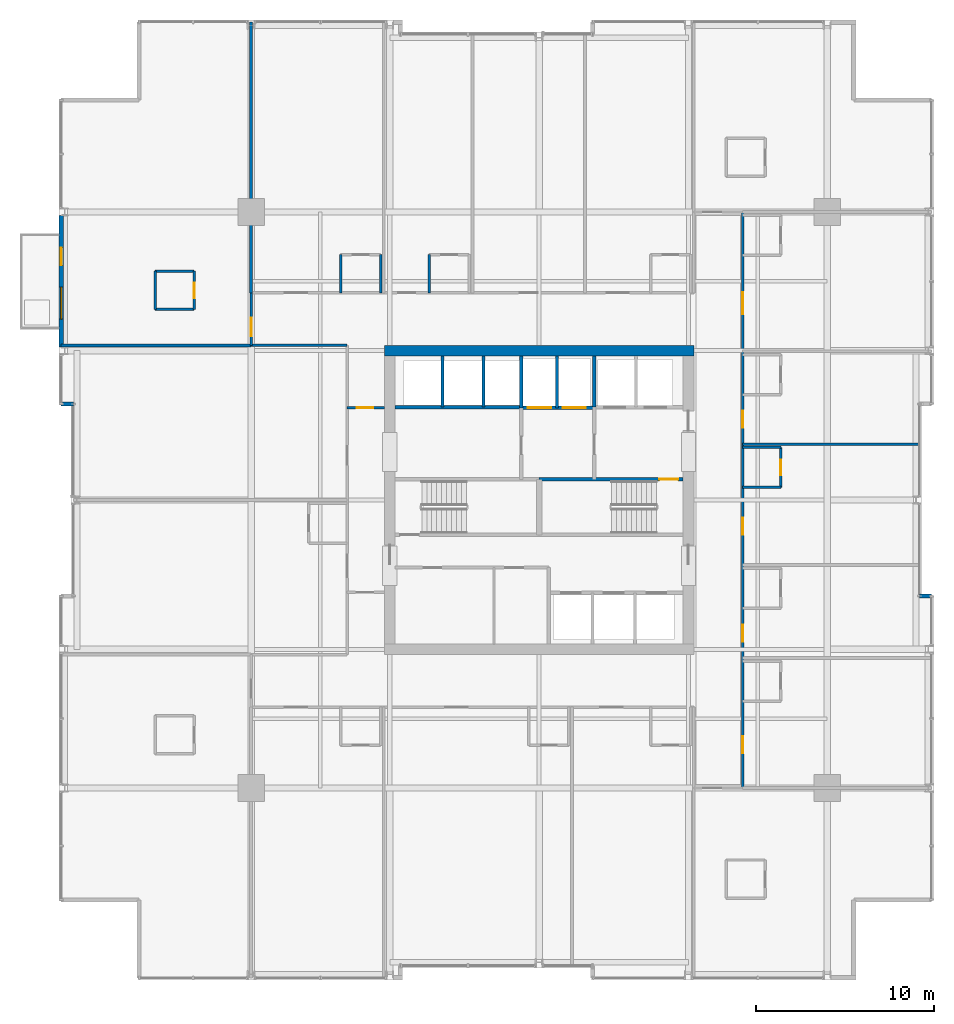
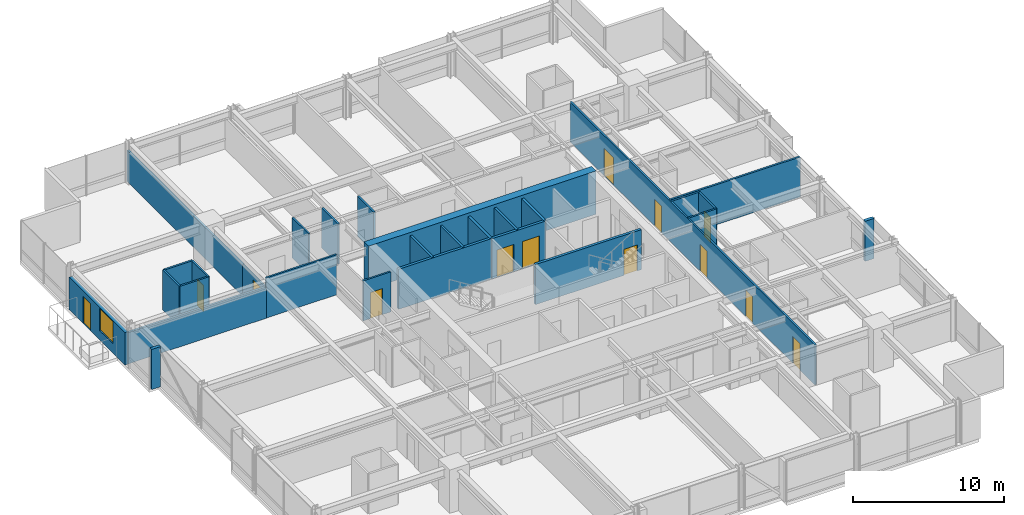
# One storey, part 30 of 35: 29 walls, 13 doors, 1 window, 14 openings.
"""IFC4 building model written with IfcOpenShell, lengths in metres."""

from ifc_helpers import new_model, si_unit, direction, frame, frame_2d, origin, place, context, subcontext, project, spatial, rectangle, extrude, material, layer, layer_set, type_object, element, fill, save


model = new_model("IFC4")

# Units and contexts
model_context = context("Model", 3, precision=1e-05, world=origin(), true_north=direction((0.0, 1.0)))
body_context = subcontext(model_context, "Body", "Model", "MODEL_VIEW")
ifc_project = project(units=[si_unit("LENGTHUNIT", "METRE"), si_unit("AREAUNIT", "SQUARE_METRE"), si_unit("VOLUMEUNIT", "CUBIC_METRE"), si_unit("PLANEANGLEUNIT", "RADIAN"), si_unit("MASSUNIT", "GRAM", prefix="KILO")], contexts=[model_context])

# Site, building, storey
site_placement = place(None, origin())
site = spatial("IfcSite", under=ifc_project, at=site_placement, CompositionType="ELEMENT")
building_placement = place(site_placement, origin())
building = spatial("IfcBuilding", under=site, at=building_placement, Name="Drelvath Grand Hotel", CompositionType="ELEMENT")
storey_placement = place(building_placement, frame((0.0, 0.0, 130.300048828125)))
storey = spatial("IfcBuildingStorey", under=building, at=storey_placement, Name="L33", CompositionType="ELEMENT", Elevation=130.300048828125)

# Wall
ifc_material_1 = material(Name="Concrete C40/50", Category="concrete")
ifc_layer_1 = layer(ifc_material_1, 0.199951171875)
ifc_layer_set_1 = layer_set([ifc_layer_1], Name="Concrete C40/50")
wall_type_1 = type_object("IfcWallType", Name="Core Hoistway Fire Wall 200", PredefinedType="SOLIDWALL", material=ifc_layer_set_1)
wall_1_placement = place(storey_placement, frame((3.10009765625, 32.219970703125, 0.0), z_axis=(0.0, 0.0, 1.0), x_axis=(0.0, 1.0, 0.0)))
element("IfcWall", 1, at=wall_1_placement, inside=storey, type_object=wall_type_1, Name="L33 FSAE Hoistway West Wall", PredefinedType="SOLIDWALL", context=body_context, shape_type="SweptSolid", body=[
    extrude(rectangle(XDim=2.880126953125, YDim=0.199951171875, at=frame_2d((1.43994140625, 0.0))), origin(), (0.0, 0.0, 1.0), 3.239990234375),
])

# Wall, openings, doors
wall_2_placement = place(storey_placement, frame((-1.0, 32.179931640625, 0.0), z_axis=(0.0, 0.0, 1.0), x_axis=(1.0, 0.0, 0.0)))
wall_2 = element("IfcWall", 2, at=wall_2_placement, inside=storey, type_object=wall_type_1, Name="L33 Service Lift Hoistway Wall", PredefinedType="SOLIDWALL", context=body_context, shape_type="SweptSolid", body=[
    extrude(rectangle(XDim=4.10009765625, YDim=0.199951171875, at=frame_2d((2.050048828125, 0.0))), origin(), (0.0, 0.0, 1.0), 3.239990234375),
])
opening_1_placement = place(wall_2_placement, frame((0.3701171875, 0.0, 0.0)))
opening_1 = element("IfcOpeningElement", 3, at=opening_1_placement, cuts=wall_2, Name="Opening LD-SV-2", PredefinedType="OPENING", context=body_context, shape_type="SweptSolid", body=[
    extrude(rectangle(XDim=1.300048828125, YDim=2.199951171875, at=frame_2d((0.64990234375, 1.10009765625))), frame((0.0, 0.10986328125, 0.0), z_axis=(0.0, -1.0, 0.0), x_axis=(1.0, 0.0, 0.0)), (0.0, 0.0, 1.0), 0.219970703125),
])
opening_2_placement = place(wall_2_placement, frame((2.330078125, 0.0, 0.0)))
opening_2 = element("IfcOpeningElement", 4, at=opening_2_placement, cuts=wall_2, Name="Opening LD-SV-1", PredefinedType="OPENING", context=body_context, shape_type="SweptSolid", body=[
    extrude(rectangle(XDim=1.300048828125, YDim=2.199951171875, at=frame_2d((0.64990234375, 1.10009765625))), frame((0.0, 0.10986328125, 0.0), z_axis=(0.0, -1.0, 0.0), x_axis=(1.0, 0.0, 0.0)), (0.0, 0.0, 1.0), 0.219970703125),
])
ifc_material_2 = material(Name="Stainless Steel S355", Category="steel")
door_type_1 = type_object("IfcDoorType", Name="Service Lift Sliding Landing Door 1300x2200", OperationType="NOTDEFINED", PredefinedType="DOOR", material=ifc_material_2)
door_1_placement = place(opening_1_placement, origin())
door_1 = element("IfcDoor", 5, at=door_1_placement, inside=storey, type_object=door_type_1, Name="L33 Lift SV-2 Landing Door", OperationType="SLIDING_TO_LEFT", OverallHeight=2.199951171875, OverallWidth=1.300048828125, PredefinedType="DOOR", context=body_context, shape_type="SweptSolid", body=[
    extrude(rectangle(XDim=1.300048828125, YDim=2.199951171875, at=frame_2d((0.64990234375, 1.10009765625))), frame((0.0, 0.02490234375, 0.0), z_axis=(0.0, -1.0, 0.0), x_axis=(1.0, 0.0, 0.0)), (0.0, 0.0, 1.0), 0.050048828125),
])
fill(opening_1, door_1)
door_2_placement = place(opening_2_placement, origin())
door_2 = element("IfcDoor", 6, at=door_2_placement, inside=storey, type_object=door_type_1, Name="L33 Lift SV-1 Landing Door", OperationType="SLIDING_TO_LEFT", OverallHeight=2.199951171875, OverallWidth=1.300048828125, PredefinedType="DOOR", context=body_context, shape_type="SweptSolid", body=[
    extrude(rectangle(XDim=1.300048828125, YDim=2.199951171875, at=frame_2d((0.64990234375, 1.10009765625))), frame((0.0, 0.02490234375, 0.0), z_axis=(0.0, -1.0, 0.0), x_axis=(1.0, 0.0, 0.0)), (0.0, 0.0, 1.0), 0.050048828125),
])
fill(opening_2, door_2)

# Walls
wall_3_placement = place(storey_placement, frame((-1.0, 32.179931640625, 0.0), z_axis=(0.0, 0.0, 1.0), x_axis=(0.0, 1.0, 0.0)))
element("IfcWall", 7, at=wall_3_placement, inside=storey, type_object=wall_type_1, Name="L33 Service Lift West Wall", PredefinedType="SOLIDWALL", context=body_context, shape_type="SweptSolid", body=[
    extrude(rectangle(XDim=2.920166015625, YDim=0.199951171875, at=frame_2d((1.4599609375, 0.0))), origin(), (0.0, 0.0, 1.0), 3.239990234375),
])
wall_4_placement = place(storey_placement, frame((-8.10009765625, 32.219970703125, 0.0), z_axis=(0.0, 0.0, 1.0), x_axis=(1.0, 0.0, 0.0)))
element("IfcWall", 8, at=wall_4_placement, inside=storey, type_object=wall_type_1, Name="L33 Bank 3 Hoistway Wall", PredefinedType="SOLIDWALL", context=body_context, shape_type="SweptSolid", body=[
    extrude(rectangle(XDim=7.10009765625, YDim=0.199951171875, at=frame_2d((3.550048828125, 0.0))), origin(), (0.0, 0.0, 1.0), 3.239990234375),
])

# Wall, opening, door
ifc_layer_2 = layer(ifc_material_1, 0.199951171875)
ifc_layer_set_2 = layer_set([ifc_layer_2], Name="Concrete C40/50")
wall_type_2 = type_object("IfcWallType", Name="Core Shaft Fire Wall 200", PredefinedType="SOLIDWALL", material=ifc_layer_set_2)
wall_5_placement = place(storey_placement, frame((8.10009765625, 28.159912109375, 0.0), z_axis=(0.0, 0.0, 1.0), x_axis=(-1.0, 0.0, 0.0)))
wall_5 = element("IfcWall", 9, at=wall_5_placement, inside=storey, type_object=wall_type_2, Name="L33 Stair ST-2 North Wall", PredefinedType="SOLIDWALL", context=body_context, shape_type="SweptSolid", body=[
    extrude(rectangle(XDim=8.10009765625, YDim=0.199951171875, at=frame_2d((4.050048828125, 0.0))), origin(), (0.0, 0.0, 1.0), 3.239990234375),
])
opening_3_placement = place(wall_5_placement, frame((0.280029296875, 0.0, 0.0)))
opening_3 = element("IfcOpeningElement", 10, at=opening_3_placement, cuts=wall_5, Name="Opening D-T2G4-002", PredefinedType="OPENING", context=body_context, shape_type="SweptSolid", body=[
    extrude(rectangle(XDim=1.050048828125, YDim=2.10009765625, at=frame_2d((0.52490234375, 1.050048828125))), frame((0.0, 0.10986328125, 0.0), z_axis=(0.0, -1.0, 0.0), x_axis=(1.0, 0.0, 0.0)), (0.0, 0.0, 1.0), 0.219970703125),
])
ifc_material_3 = material(Name="Painted Steel S275", Category="steel")
door_type_2 = type_object("IfcDoorType", Name="Tower Stairwell Fire Door 1050x2100", OperationType="NOTDEFINED", PredefinedType="DOOR", material=ifc_material_3)
door_3_placement = place(opening_3_placement, origin())
door_3 = element("IfcDoor", 11, at=door_3_placement, inside=storey, type_object=door_type_2, Name="L33 Exit Stair ST-2 Door", OperationType="SINGLE_SWING_LEFT", OverallHeight=2.10009765625, OverallWidth=1.050048828125, PredefinedType="DOOR", context=body_context, shape_type="SweptSolid", body=[
    extrude(rectangle(XDim=1.050048828125, YDim=2.10009765625, at=frame_2d((0.52490234375, 1.050048828125))), frame((0.0, 0.02490234375, 0.0), z_axis=(0.0, -1.0, 0.0), x_axis=(1.0, 0.0, 0.0)), (0.0, 0.0, 1.0), 0.050048828125),
])
fill(opening_3, door_3)

# Walls
ifc_material_4 = material(Name="Gypsum Fireboard Partition")
ifc_layer_3 = layer(ifc_material_4, 0.1650390625)
ifc_layer_set_3 = layer_set([ifc_layer_3], Name="Gypsum Fireboard Partition")
wall_type_3 = type_object("IfcWallType", Name="Core Shaft Partition 165", PredefinedType="PARTITIONING", material=ifc_layer_set_3)
wall_6_placement = place(storey_placement, frame((1.0, 32.179931640625, 0.0), z_axis=(0.0, 0.0, 1.0), x_axis=(0.0, 1.0, 0.0)))
element("IfcWall", 12, at=wall_6_placement, inside=storey, type_object=wall_type_3, Name="L33 Service Lift Divider", PredefinedType="PARTITIONING", context=body_context, shape_type="SweptSolid", body=[
    extrude(rectangle(XDim=2.920166015625, YDim=0.1650390625, at=frame_2d((1.4599609375, 0.0))), origin(), (0.0, 0.0, 1.0), 3.239990234375),
])
for number, where, z_axis, x_axis, name in (
    (13, (-5.43994140625, 32.219970703125, 0.0), (0.0, 0.0, 1.0), (0.0, 1.0, 0.0), "L33 Lift PE-7/8 Divider"),
    (14, (-3.1201171875, 32.219970703125, 0.0), (0.0, 0.0, 1.0), (0.0, 1.0, 0.0), "L33 Lift PE-8/9 Divider"),
):
    element("IfcWall", number, at=place(storey_placement, frame(where, z_axis=z_axis, x_axis=x_axis)), inside=storey, type_object=wall_type_3, Name=name, PredefinedType="PARTITIONING", context=body_context, shape_type="SweptSolid", body=[
        extrude(rectangle(XDim=2.880126953125, YDim=0.1650390625, at=frame_2d((1.43994140625, 0.0))), origin(), (0.0, 0.0, 1.0), 3.239990234375),
    ])

# Wall, opening, door
ifc_layer_4 = layer(ifc_material_4, 0.135009765625)
ifc_layer_set_4 = layer_set([ifc_layer_4], Name="Gypsum Fireboard Partition")
wall_type_4 = type_object("IfcWallType", Name="Corridor Fire Barrier Wall 135", PredefinedType="PARTITIONING", material=ifc_layer_set_4)
wall_7_placement = place(storey_placement, frame((-10.800048828125, 32.199951171875, 0.0), z_axis=(0.0, 0.0, 1.0), x_axis=(1.0, 0.0, 0.0)))
wall_7 = element("IfcWall", 15, at=wall_7_placement, inside=storey, type_object=wall_type_4, Name="L33 West Foyer North Wall", PredefinedType="PARTITIONING", context=body_context, shape_type="SweptSolid", body=[
    extrude(rectangle(XDim=2.10009765625, YDim=0.135009765625, at=frame_2d((1.050048828125, 0.0))), origin(), (0.0, 0.0, 1.0), 3.239990234375),
])
opening_4_placement = place(wall_7_placement, frame((0.550048828125, 0.0, 0.0)))
opening_4 = element("IfcOpeningElement", 16, at=opening_4_placement, cuts=wall_7, Name="Opening D-T2G4-018", PredefinedType="OPENING", context=body_context, shape_type="SweptSolid", body=[
    extrude(rectangle(XDim=0.919921875, YDim=2.10009765625, at=frame_2d((0.4599609375, 1.050048828125))), frame((0.0, 0.077392578125, 0.0), z_axis=(0.0, -1.0, 0.0), x_axis=(1.0, 0.0, 0.0)), (0.0, 0.0, 1.0), 0.155029296875),
])
door_type_3 = type_object("IfcDoorType", Name="Staff Utility Door 920x2100", OperationType="NOTDEFINED", PredefinedType="DOOR", material=ifc_material_3)
door_4_placement = place(opening_4_placement, origin())
door_4 = element("IfcDoor", 17, at=door_4_placement, inside=storey, type_object=door_type_3, Name="L33 West Pantry Door", OperationType="SINGLE_SWING_LEFT", OverallHeight=2.10009765625, OverallWidth=0.919921875, PredefinedType="DOOR", context=body_context, shape_type="SweptSolid", body=[
    extrude(rectangle(XDim=0.919921875, YDim=2.10009765625, at=frame_2d((0.4599609375, 1.050048828125))), frame((0.0, 0.02490234375, 0.0), z_axis=(0.0, -1.0, 0.0), x_axis=(1.0, 0.0, 0.0)), (0.0, 0.0, 1.0), 0.050048828125),
])
fill(opening_4, door_4)

# Wall
wall_8_placement = place(storey_placement, frame((-16.199951171875, 35.699951171875, 0.0), z_axis=(0.0, 0.0, 1.0), x_axis=(1.0, 0.0, 0.0)))
element("IfcWall", 18, at=wall_8_placement, inside=storey, type_object=wall_type_4, Name="L33 NW Stub South Wall", PredefinedType="PARTITIONING", context=body_context, shape_type="SweptSolid", body=[
    extrude(rectangle(XDim=5.39990234375, YDim=0.135009765625, at=frame_2d((2.699951171875, 0.0))), origin(), (0.0, 0.0, 1.0), 3.239990234375),
])

# Wall, openings, doors
wall_9_placement = place(storey_placement, frame((11.449951171875, 10.800048828125, 0.0), z_axis=(0.0, 0.0, 1.0), x_axis=(0.0, 1.0, 0.0)))
wall_9 = element("IfcWall", 19, at=wall_9_placement, inside=storey, type_object=wall_type_4, Name="L33 East Spine Corridor Wall", PredefinedType="PARTITIONING", context=body_context, shape_type="SweptSolid", body=[
    extrude(rectangle(XDim=32.39990234375, YDim=0.135009765625, at=frame_2d((16.199951171875, 0.0))), origin(), (0.0, 0.0, 1.0), 3.239990234375),
])
opening_5_placement = place(wall_9_placement, frame((1.963134765625, 0.0, 0.0)))
opening_5 = element("IfcOpeningElement", 20, at=opening_5_placement, cuts=wall_9, Name="Opening D-T2G4-041", PredefinedType="OPENING", context=body_context, shape_type="SweptSolid", body=[
    extrude(rectangle(XDim=0.9599609375, YDim=2.14990234375, at=frame_2d((0.47998046875, 1.074951171875))), frame((0.0, 0.077392578125, 0.0), z_axis=(0.0, -1.0, 0.0), x_axis=(1.0, 0.0, 0.0)), (0.0, 0.0, 1.0), 0.155029296875),
])
opening_6_placement = place(wall_9_placement, frame((8.23388671875, 0.0, 0.0)))
opening_6 = element("IfcOpeningElement", 21, at=opening_6_placement, cuts=wall_9, Name="Opening D-T2G4-043", PredefinedType="OPENING", context=body_context, shape_type="SweptSolid", body=[
    extrude(rectangle(XDim=0.9599609375, YDim=2.14990234375, at=frame_2d((0.47998046875, 1.074951171875))), frame((0.0, 0.077392578125, 0.0), z_axis=(0.0, -1.0, 0.0), x_axis=(1.0, 0.0, 0.0)), (0.0, 0.0, 1.0), 0.155029296875),
])
opening_7_placement = place(wall_9_placement, frame((14.24365234375, 0.0, 0.0)))
opening_7 = element("IfcOpeningElement", 22, at=opening_7_placement, cuts=wall_9, Name="Opening D-T2G4-045", PredefinedType="OPENING", context=body_context, shape_type="SweptSolid", body=[
    extrude(rectangle(XDim=0.9599609375, YDim=2.14990234375, at=frame_2d((0.47998046875, 1.074951171875))), frame((0.0, 0.077392578125, 0.0), z_axis=(0.0, -1.0, 0.0), x_axis=(1.0, 0.0, 0.0)), (0.0, 0.0, 1.0), 0.155029296875),
])
opening_8_placement = place(wall_9_placement, frame((20.25341796875, 0.0, 0.0)))
opening_8 = element("IfcOpeningElement", 23, at=opening_8_placement, cuts=wall_9, Name="Opening D-T2G4-047", PredefinedType="OPENING", context=body_context, shape_type="SweptSolid", body=[
    extrude(rectangle(XDim=0.9599609375, YDim=2.14990234375, at=frame_2d((0.47998046875, 1.074951171875))), frame((0.0, 0.077392578125, 0.0), z_axis=(0.0, -1.0, 0.0), x_axis=(1.0, 0.0, 0.0)), (0.0, 0.0, 1.0), 0.155029296875),
])
opening_9_placement = place(wall_9_placement, frame((26.6357421875, 0.0, 0.0)))
opening_9 = element("IfcOpeningElement", 24, at=opening_9_placement, cuts=wall_9, Name="Opening D-T2G4-049", PredefinedType="OPENING", context=body_context, shape_type="SweptSolid", body=[
    extrude(rectangle(XDim=1.260009765625, YDim=2.199951171875, at=frame_2d((0.6298828125, 1.10009765625))), frame((0.0, 0.077392578125, 0.0), z_axis=(0.0, -1.0, 0.0), x_axis=(1.0, 0.0, 0.0)), (0.0, 0.0, 1.0), 0.155029296875),
])
ifc_material_5 = material(Name="Hardwood Walnut Timber", Category="wood")
door_type_4 = type_object("IfcDoorType", Name="Guestroom Entrance Fire Door 960x2150", OperationType="NOTDEFINED", PredefinedType="DOOR", material=ifc_material_5)
door_5_placement = place(opening_5_placement, origin())
door_5 = element("IfcDoor", 25, at=door_5_placement, inside=storey, type_object=door_type_4, Name="L33 King Guest Room Entry Door", OperationType="SINGLE_SWING_RIGHT", OverallHeight=2.14990234375, OverallWidth=0.9599609375, PredefinedType="DOOR", context=body_context, shape_type="SweptSolid", body=[
    extrude(rectangle(XDim=0.9599609375, YDim=2.14990234375, at=frame_2d((0.47998046875, 1.074951171875))), frame((0.0, 0.02490234375, 0.0), z_axis=(0.0, -1.0, 0.0), x_axis=(1.0, 0.0, 0.0)), (0.0, 0.0, 1.0), 0.050048828125),
])
fill(opening_5, door_5)
door_6_placement = place(opening_6_placement, origin())
door_6 = element("IfcDoor", 26, at=door_6_placement, inside=storey, type_object=door_type_4, Name="L33 King Guest Room Entry Door", OperationType="SINGLE_SWING_RIGHT", OverallHeight=2.14990234375, OverallWidth=0.9599609375, PredefinedType="DOOR", context=body_context, shape_type="SweptSolid", body=[
    extrude(rectangle(XDim=0.9599609375, YDim=2.14990234375, at=frame_2d((0.47998046875, 1.074951171875))), frame((0.0, 0.02490234375, 0.0), z_axis=(0.0, -1.0, 0.0), x_axis=(1.0, 0.0, 0.0)), (0.0, 0.0, 1.0), 0.050048828125),
])
fill(opening_6, door_6)
door_7_placement = place(opening_7_placement, origin())
door_7 = element("IfcDoor", 27, at=door_7_placement, inside=storey, type_object=door_type_4, Name="L33 King Guest Room Entry Door", OperationType="SINGLE_SWING_RIGHT", OverallHeight=2.14990234375, OverallWidth=0.9599609375, PredefinedType="DOOR", context=body_context, shape_type="SweptSolid", body=[
    extrude(rectangle(XDim=0.9599609375, YDim=2.14990234375, at=frame_2d((0.47998046875, 1.074951171875))), frame((0.0, 0.02490234375, 0.0), z_axis=(0.0, -1.0, 0.0), x_axis=(1.0, 0.0, 0.0)), (0.0, 0.0, 1.0), 0.050048828125),
])
fill(opening_7, door_7)
door_8_placement = place(opening_8_placement, origin())
door_8 = element("IfcDoor", 28, at=door_8_placement, inside=storey, type_object=door_type_4, Name="L33 King Guest Room Entry Door", OperationType="SINGLE_SWING_RIGHT", OverallHeight=2.14990234375, OverallWidth=0.9599609375, PredefinedType="DOOR", context=body_context, shape_type="SweptSolid", body=[
    extrude(rectangle(XDim=0.9599609375, YDim=2.14990234375, at=frame_2d((0.47998046875, 1.074951171875))), frame((0.0, 0.02490234375, 0.0), z_axis=(0.0, -1.0, 0.0), x_axis=(1.0, 0.0, 0.0)), (0.0, 0.0, 1.0), 0.050048828125),
])
fill(opening_8, door_8)
door_type_5 = type_object("IfcDoorType", Name="Suite Entrance Fire Door 1260x2200", OperationType="NOTDEFINED", PredefinedType="DOOR", material=ifc_material_5)
door_9_placement = place(opening_9_placement, origin())
door_9 = element("IfcDoor", 29, at=door_9_placement, inside=storey, type_object=door_type_5, Name="L33 Corner Suite Entry Door", OperationType="SINGLE_SWING_RIGHT", OverallHeight=2.199951171875, OverallWidth=1.260009765625, PredefinedType="DOOR", context=body_context, shape_type="SweptSolid", body=[
    extrude(rectangle(XDim=1.260009765625, YDim=2.199951171875, at=frame_2d((0.6298828125, 1.10009765625))), frame((0.0, 0.02490234375, 0.0), z_axis=(0.0, -1.0, 0.0), x_axis=(1.0, 0.0, 0.0)), (0.0, 0.0, 1.0), 0.050048828125),
])
fill(opening_9, door_9)

# Wall, opening, door
wall_10_placement = place(storey_placement, frame((-16.199951171875, 35.699951171875, 0.0), z_axis=(0.0, 0.0, 1.0), x_axis=(0.0, 1.0, 0.0)))
wall_10 = element("IfcWall", 30, at=wall_10_placement, inside=storey, type_object=wall_type_4, Name="L33 North Stub West End", PredefinedType="PARTITIONING", context=body_context, shape_type="SweptSolid", body=[
    extrude(rectangle(XDim=2.949951171875, YDim=0.135009765625, at=frame_2d((1.47509765625, 0.0))), origin(), (0.0, 0.0, 1.0), 2.529541015625),
])
opening_10_placement = place(wall_10_placement, frame((0.52001953125, 0.0, 0.0)))
opening_10 = element("IfcOpeningElement", 31, at=opening_10_placement, cuts=wall_10, Name="Opening D-T2G4-022", PredefinedType="OPENING", context=body_context, shape_type="SweptSolid", body=[
    extrude(rectangle(XDim=1.02001953125, YDim=2.14990234375, at=frame_2d((0.510009765625, 1.074951171875))), frame((0.0, 0.077392578125, 0.0), z_axis=(0.0, -1.0, 0.0), x_axis=(1.0, 0.0, 0.0)), (0.0, 0.0, 1.0), 0.155029296875),
])
door_type_6 = type_object("IfcDoorType", Name="Amenity Meeting Fire Door 1020x2150", OperationType="NOTDEFINED", PredefinedType="DOOR", material=ifc_material_5)
door_10_placement = place(opening_10_placement, origin())
door_10 = element("IfcDoor", 32, at=door_10_placement, inside=storey, type_object=door_type_6, Name="L33 Corner Suite Entry Door", OperationType="SINGLE_SWING_LEFT", OverallHeight=2.14990234375, OverallWidth=1.02001953125, PredefinedType="DOOR", context=body_context, shape_type="SweptSolid", body=[
    extrude(rectangle(XDim=1.02001953125, YDim=2.14990234375, at=frame_2d((0.510009765625, 1.074951171875))), frame((0.0, 0.02490234375, 0.0), z_axis=(0.0, -1.0, 0.0), x_axis=(1.0, 0.0, 0.0)), (0.0, 0.0, 1.0), 0.050048828125),
])
fill(opening_10, door_10)

# Walls
ifc_material_6 = material(Name="Moisture-Resistant Gypsum Board")
ifc_layer_5 = layer(ifc_material_6, 0.139892578125)
ifc_layer_set_5 = layer_set([ifc_layer_5], Name="Moisture-Resistant Gypsum Board")
wall_type_5 = type_object("IfcWallType", Name="En-Suite Plumbing Wall 140", PredefinedType="PLUMBINGWALL", material=ifc_layer_set_5)
for number, where, z_axis, x_axis, name in (
    (33, (-21.60009765625, 37.719970703125, 0.0), (0.0, 0.0, 1.0), (1.0, 0.0, 0.0), "L33 Corner En-Suite South"),
    (34, (-21.60009765625, 39.8701171875, 0.0), (0.0, 0.0, 1.0), (1.0, 0.0, 0.0), "L33 Corner En-Suite North"),
):
    element("IfcWall", number, at=place(storey_placement, frame(where, z_axis=z_axis, x_axis=x_axis)), inside=storey, type_object=wall_type_5, Name=name, PredefinedType="PLUMBINGWALL", context=body_context, shape_type="SweptSolid", body=[
        extrude(rectangle(XDim=2.2001953125, YDim=0.139892578125, at=frame_2d((1.10009765625, 0.0))), origin(), (0.0, 0.0, 1.0), 3.239990234375),
    ])
wall_11_placement = place(storey_placement, frame((-21.60009765625, 37.719970703125, 0.0), z_axis=(0.0, 0.0, 1.0), x_axis=(0.0, 1.0, 0.0)))
element("IfcWall", 35, at=wall_11_placement, inside=storey, type_object=wall_type_5, Name="L33 Corner En-Suite West", PredefinedType="PLUMBINGWALL", context=body_context, shape_type="SweptSolid", body=[
    extrude(rectangle(XDim=2.150146484375, YDim=0.139892578125, at=frame_2d((1.0751953125, 0.0))), origin(), (0.0, 0.0, 1.0), 3.239990234375),
])

# Wall, opening, door
wall_12_placement = place(storey_placement, frame((-19.39990234375, 37.719970703125, 0.0), z_axis=(0.0, 0.0, 1.0), x_axis=(0.0, 1.0, 0.0)))
wall_12 = element("IfcWall", 36, at=wall_12_placement, inside=storey, type_object=wall_type_5, Name="L33 Corner En-Suite East", PredefinedType="PLUMBINGWALL", context=body_context, shape_type="SweptSolid", body=[
    extrude(rectangle(XDim=2.150146484375, YDim=0.139892578125, at=frame_2d((1.0751953125, 0.0))), origin(), (0.0, 0.0, 1.0), 3.239990234375),
])
opening_11_placement = place(wall_12_placement, frame((0.6201171875, 0.0, 0.0)))
opening_11 = element("IfcOpeningElement", 37, at=opening_11_placement, cuts=wall_12, Name="Opening D-T2G4-021", PredefinedType="OPENING", context=body_context, shape_type="SweptSolid", body=[
    extrude(rectangle(XDim=0.8798828125, YDim=2.10009765625, at=frame_2d((0.43994140625, 1.050048828125))), frame((0.0, 0.079833984375, 0.0), z_axis=(0.0, -1.0, 0.0), x_axis=(1.0, 0.0, 0.0)), (0.0, 0.0, 1.0), 0.159912109375),
])
door_type_7 = type_object("IfcDoorType", Name="En-Suite Bathroom Door 880x2100", OperationType="NOTDEFINED", PredefinedType="DOOR", material=ifc_material_5)
door_11_placement = place(opening_11_placement, origin())
door_11 = element("IfcDoor", 38, at=door_11_placement, inside=storey, type_object=door_type_7, Name="L33 Corner En-Suite Door", OperationType="SINGLE_SWING_RIGHT", OverallHeight=2.10009765625, OverallWidth=0.8798828125, PredefinedType="DOOR", context=body_context, shape_type="SweptSolid", body=[
    extrude(rectangle(XDim=0.8798828125, YDim=2.10009765625, at=frame_2d((0.43994140625, 1.050048828125))), frame((0.0, 0.02490234375, 0.0), z_axis=(0.0, -1.0, 0.0), x_axis=(1.0, 0.0, 0.0)), (0.0, 0.0, 1.0), 0.050048828125),
])
fill(opening_11, door_11)

# Walls
for number, where, z_axis, x_axis, name in (
    (39, (-11.159912109375, 38.64990234375, 0.0), (0.0, 0.0, 1.0), (0.0, 1.0, 0.0), "L33 En-Suite Left Wall"),
    (40, (-8.909912109375, 38.64990234375, 0.0), (0.0, 0.0, 1.0), (0.0, 1.0, 0.0), "L33 En-Suite Right Wall"),
    (41, (-6.179931640625, 38.64990234375, 0.0), (0.0, 0.0, 1.0), (0.0, 1.0, 0.0), "L33 En-Suite Left Wall"),
    (42, (11.449951171875, 27.70556640625, 0.0), (0.0, 0.0, 1.0), (1.0, 0.0, 0.0), "L33 En-Suite Left Wall"),
    (43, (11.449951171875, 29.95556640625, 0.0), (0.0, 0.0, 1.0), (1.0, 0.0, 0.0), "L33 En-Suite Right Wall"),
):
    element("IfcWall", number, at=place(storey_placement, frame(where, z_axis=z_axis, x_axis=x_axis)), inside=storey, type_object=wall_type_5, Name=name, PredefinedType="PLUMBINGWALL", context=body_context, shape_type="SweptSolid", body=[
        extrude(rectangle(XDim=2.150146484375, YDim=0.139892578125, at=frame_2d((1.0751953125, 0.0))), origin(), (0.0, 0.0, 1.0), 3.239990234375),
    ])

# Wall, opening, door
wall_13_placement = place(storey_placement, frame((13.60009765625, 27.70556640625, 0.0), z_axis=(0.0, 0.0, 1.0), x_axis=(0.0, 1.0, 0.0)))
wall_13 = element("IfcWall", 44, at=wall_13_placement, inside=storey, type_object=wall_type_5, Name="L33 En-Suite Front Wall", PredefinedType="PLUMBINGWALL", context=body_context, shape_type="SweptSolid", body=[
    extrude(rectangle(XDim=2.25, YDim=0.139892578125, at=frame_2d((1.125, 0.0))), origin(), (0.0, 0.0, 1.0), 3.239990234375),
])
opening_12_placement = place(wall_13_placement, frame((0.68505859375, 0.0, 0.0)))
opening_12 = element("IfcOpeningElement", 45, at=opening_12_placement, cuts=wall_13, Name="Opening D-T2G4-044", PredefinedType="OPENING", context=body_context, shape_type="SweptSolid", body=[
    extrude(rectangle(XDim=0.8798828125, YDim=2.10009765625, at=frame_2d((0.43994140625, 1.050048828125))), frame((0.0, 0.079833984375, 0.0), z_axis=(0.0, -1.0, 0.0), x_axis=(1.0, 0.0, 0.0)), (0.0, 0.0, 1.0), 0.159912109375),
])
door_12_placement = place(opening_12_placement, origin())
door_12 = element("IfcDoor", 46, at=door_12_placement, inside=storey, type_object=door_type_7, Name="L33 En-Suite Bathroom Door", OperationType="SINGLE_SWING_LEFT", OverallHeight=2.10009765625, OverallWidth=0.8798828125, PredefinedType="DOOR", context=body_context, shape_type="SweptSolid", body=[
    extrude(rectangle(XDim=0.8798828125, YDim=2.10009765625, at=frame_2d((0.43994140625, 1.050048828125))), frame((0.0, 0.02490234375, 0.0), z_axis=(0.0, -1.0, 0.0), x_axis=(1.0, 0.0, 0.0)), (0.0, 0.0, 1.0), 0.050048828125),
])
fill(opening_12, door_12)

# Walls
ifc_material_7 = material(Name="Gypsum Acoustic Partition")
ifc_layer_6 = layer(ifc_material_7, 0.14990234375)
ifc_layer_set_6 = layer_set([ifc_layer_6], Name="Gypsum Acoustic Partition")
wall_type_6 = type_object("IfcWallType", Name="Guestroom Demising Wall 150", PredefinedType="PARTITIONING", material=ifc_layer_set_6)
wall_14_placement = place(storey_placement, frame((11.449951171875, 30.135498046875, 0.0), z_axis=(0.0, 0.0, 1.0), x_axis=(1.0, 0.0, 0.0)))
element("IfcWall", 47, at=wall_14_placement, inside=storey, type_object=wall_type_6, Name="L33 East Demising 3", PredefinedType="PARTITIONING", context=body_context, shape_type="SweptSolid", body=[
    extrude(rectangle(XDim=9.949951171875, YDim=0.14990234375, at=frame_2d((4.97509765625, 0.0))), origin(), (0.0, 0.0, 1.0), 3.239990234375),
])
ifc_material_8 = material(Name="Concrete f'c 70 MPa", Category="concrete")
ifc_layer_7 = layer(ifc_material_8, 0.60009765625)
ifc_layer_set_7 = layer_set([ifc_layer_7], Name="Concrete f'c 70 MPa")
wall_type_7 = type_object("IfcWallType", Name="Lower Core RC Shear Wall 600", PredefinedType="SHEAR", material=ifc_layer_set_7)
wall_15_placement = place(storey_placement, frame((-8.699951171875, 35.39990234375, 0.0), z_axis=(0.0, 0.0, 1.0), x_axis=(1.0, 0.0, 0.0)))
element("IfcWall", 48, at=wall_15_placement, inside=storey, type_object=wall_type_7, Name="L33 Central Core Shear Wall N", PredefinedType="SHEAR", context=body_context, shape_type="SweptSolid", body=[
    extrude(rectangle(XDim=17.39990234375, YDim=0.60009765625, at=frame_2d((8.699951171875, 0.0))), origin(), (0.0, 0.0, 1.0), 3.5),
])
ifc_layer_8 = layer(ifc_material_7, 0.1650390625)
ifc_layer_set_8 = layer_set([ifc_layer_8], Name="Gypsum Acoustic Partition")
wall_type_8 = type_object("IfcWallType", Name="Suite Demising Wall 165", PredefinedType="PARTITIONING", material=ifc_layer_set_8)
wall_16_placement = place(storey_placement, frame((-16.199951171875, 38.64990234375, 0.0), z_axis=(0.0, 0.0, 1.0), x_axis=(0.0, 1.0, 0.0)))
element("IfcWall", 49, at=wall_16_placement, inside=storey, type_object=wall_type_8, Name="L33 NW Suite East Wall", PredefinedType="PARTITIONING", context=body_context, shape_type="SweptSolid", body=[
    extrude(rectangle(XDim=15.22998046875, YDim=0.1650390625, at=frame_2d((7.614990234375, 0.0))), origin(), (0.0, 0.0, 1.0), 2.529541015625),
])
wall_17_placement = place(storey_placement, frame((-26.8798828125, 35.699951171875, 0.0), z_axis=(0.0, 0.0, 1.0), x_axis=(1.0, 0.0, 0.0)))
element("IfcWall", 50, at=wall_17_placement, inside=storey, type_object=wall_type_8, Name="L33 NW Suite South Wall", PredefinedType="PARTITIONING", context=body_context, shape_type="SweptSolid", body=[
    extrude(rectangle(XDim=10.679931640625, YDim=0.1650390625, at=frame_2d((5.33984375, 0.0))), origin(), (0.0, 0.0, 1.0), 2.529541015625),
])

# Wall, openings, window, door
ifc_material_9 = material(Name="Pale-Metal Insulated Aluminium Spandrel Assembly", Category="aluminium")
ifc_layer_9 = layer(ifc_material_9, 0.239990234375)
ifc_layer_set_9 = layer_set([ifc_layer_9], Name="Pale-Metal Insulated Aluminium Spandrel Assembly")
wall_type_9 = type_object("IfcWallType", Name="Tower Insulated Metal Spandrel Closure Wall 240", PredefinedType="STANDARD", material=ifc_layer_set_9)
wall_18_placement = place(storey_placement, frame((-26.8798828125, 35.609375, 0.0), z_axis=(0.0, 0.0, 1.0), x_axis=(0.0, 1.0, 0.0)))
wall_18 = element("IfcWall", 51, at=wall_18_placement, inside=storey, type_object=wall_type_9, Name="L33 Exterior Terrace Door Bay Wall WN2", PredefinedType="STANDARD", context=body_context, shape_type="SweptSolid", body=[
    extrude(rectangle(XDim=7.381103515625, YDim=0.239990234375, at=frame_2d((3.6904296875, 0.0))), origin(), (0.0, 0.0, 1.0), 2.628662109375),
])
opening_13_placement = place(wall_18_placement, frame((4.590576171875, 0.0, 0.0)))
opening_13 = element("IfcOpeningElement", 52, at=opening_13_placement, cuts=wall_18, Name="Opening TD-1000", PredefinedType="OPENING", context=body_context, shape_type="SweptSolid", body=[
    extrude(rectangle(XDim=1.0, YDim=2.199951171875, at=frame_2d((0.5, 1.10009765625))), frame((0.0, 0.1298828125, 0.0), z_axis=(0.0, -1.0, 0.0), x_axis=(1.0, 0.0, 0.0)), (0.0, 0.0, 1.0), 0.260009765625),
])
opening_14_placement = place(wall_18_placement, frame((1.56982421875, 0.0, 0.75)))
opening_14 = element("IfcOpeningElement", 53, at=opening_14_placement, cuts=wall_18, Name="Opening W-02", PredefinedType="OPENING", context=body_context, shape_type="SweptSolid", body=[
    extrude(rectangle(XDim=1.800048828125, YDim=1.77880859375, at=frame_2d((0.89990234375, 0.889404296875))), frame((0.0, 0.1298828125, 0.0), z_axis=(0.0, -1.0, 0.0), x_axis=(1.0, 0.0, 0.0)), (0.0, 0.0, 1.0), 0.260009765625),
])
ifc_material_10 = material(Name="Bronze Anodised Low-E Triple Glazing", Category="glass")
window_type = type_object("IfcWindowType", Name="Chicago Double-Pane Podium Window 1800x2400", PartitioningType="DOUBLE_PANEL_VERTICAL", PredefinedType="WINDOW", material=ifc_material_10)
window_placement = place(opening_14_placement, origin())
window = element("IfcWindow", 54, at=window_placement, inside=storey, type_object=window_type, Name="L33 Terrace Bay Companion Window WN2", OverallHeight=1.77880859375, OverallWidth=1.800048828125, PartitioningType="SINGLE_PANEL", PredefinedType="WINDOW", context=body_context, shape_type="SweptSolid", body=[
    extrude(rectangle(XDim=1.800048828125, YDim=1.77880859375, at=frame_2d((0.89990234375, 0.889404296875))), frame((0.0, 0.030029296875, 0.0), z_axis=(0.0, -1.0, 0.0), x_axis=(1.0, 0.0, 0.0)), (0.0, 0.0, 1.0), 0.06005859375),
])
fill(opening_14, window)
ifc_material_11 = material(Name="Anodised Aluminium Thermally Broken Glazed Door", Category="aluminium")
door_type_8 = type_object("IfcDoorType", Name="Terrace and Tree Balcony Glazed Door 1000x2200", OperationType="NOTDEFINED", PredefinedType="DOOR", material=ifc_material_11)
door_13_placement = place(opening_13_placement, origin())
door_13 = element("IfcDoor", 55, at=door_13_placement, inside=storey, type_object=door_type_8, Name="L33 Tree Balcony Door DOOR-L33-TBAL-1", OperationType="SINGLE_SWING_LEFT", OverallHeight=2.199951171875, OverallWidth=1.0, PredefinedType="DOOR", context=body_context, shape_type="SweptSolid", body=[
    extrude(rectangle(XDim=1.0, YDim=2.199951171875, at=frame_2d((0.5, 1.10009765625))), frame((0.0, 0.02490234375, 0.0), z_axis=(0.0, -1.0, 0.0), x_axis=(1.0, 0.0, 0.0)), (0.0, 0.0, 1.0), 0.050048828125),
])
fill(opening_13, door_13)

# Walls
wall_19_placement = place(storey_placement, frame((-26.199951171875, 32.39990234375, 0.0), z_axis=(0.0, 0.0, 1.0), x_axis=(-1.0, 0.0, 0.0)))
element("IfcWall", 56, at=wall_19_placement, inside=storey, type_object=wall_type_9, Name="L33 Notched Corner Return Spandrel Wall RW2", PredefinedType="STANDARD", context=body_context, shape_type="SweptSolid", body=[
    extrude(rectangle(XDim=0.679931640625, YDim=0.239990234375, at=frame_2d((0.33984375, 0.0))), origin(), (0.0, 0.0, 1.0), 3.239990234375),
])
wall_20_placement = place(storey_placement, frame((21.39990234375, 21.60009765625, 0.0), z_axis=(0.0, 0.0, 1.0), x_axis=(1.0, 0.0, 0.0)))
element("IfcWall", 57, at=wall_20_placement, inside=storey, type_object=wall_type_9, Name="L33 Notched Corner Return Spandrel Wall RE2", PredefinedType="STANDARD", context=body_context, shape_type="SweptSolid", body=[
    extrude(rectangle(XDim=0.68017578125, YDim=0.239990234375, at=frame_2d((0.340087890625, 0.0))), origin(), (0.0, 0.0, 1.0), 3.239990234375),
])

save(model, "model.ifc")
